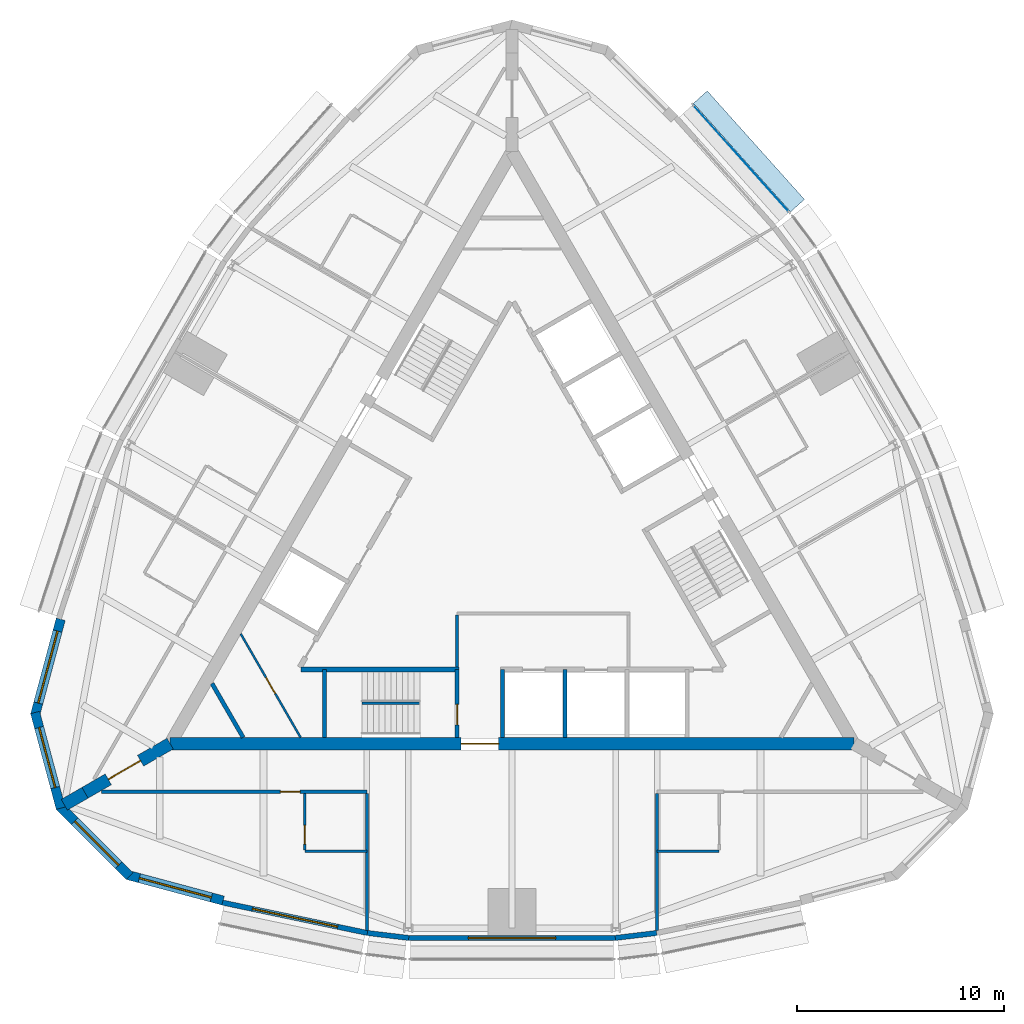
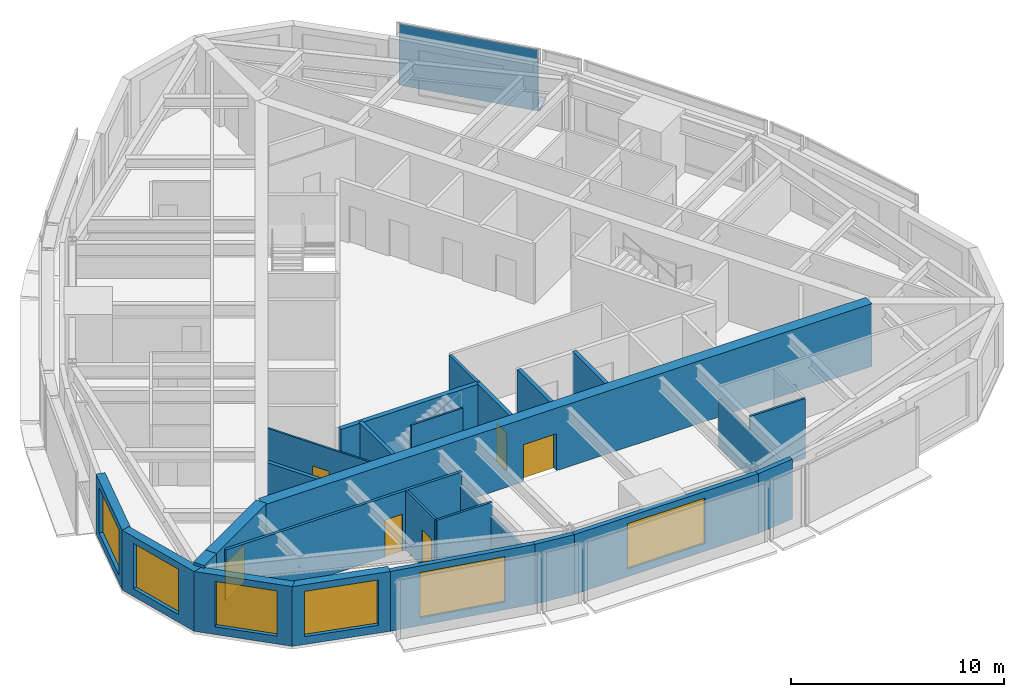
# One storey, part 7 of 12: 26 walls, 6 doors, 6 windows, 2 plates, 12 openings, 1 element without a shape of its own.
"""IFC4 building model written with IfcOpenShell, lengths in metres."""

from ifc_helpers import new_model, si_unit, direction, frame, frame_2d, origin, origin_2d, place, context, subcontext, project, spatial, polyline, rectangle, outline, extrude, material, layer, layer_set, type_object, element, fill, aggregate, save


model = new_model("IFC4")

# Units and contexts
model_context = context("Model", 3, precision=1e-05, world=origin(), true_north=direction((0.0, 1.0)))
body_context = subcontext(model_context, "Body", "Model", "MODEL_VIEW")
ifc_project = project(units=[si_unit("LENGTHUNIT", "METRE"), si_unit("AREAUNIT", "SQUARE_METRE"), si_unit("VOLUMEUNIT", "CUBIC_METRE"), si_unit("PLANEANGLEUNIT", "RADIAN"), si_unit("MASSUNIT", "GRAM", prefix="KILO")], contexts=[model_context])

# Site, building, storey
site_placement = place(None, origin())
site = spatial("IfcSite", under=ifc_project, at=site_placement, CompositionType="ELEMENT")
building_placement = place(site_placement, origin())
building = spatial("IfcBuilding", under=site, at=building_placement, Name="Trikona Tower", CompositionType="ELEMENT")
storey_placement = place(building_placement, frame((0.0, 0.0, 257.300048828125)))
storey = spatial("IfcBuildingStorey", under=building, at=storey_placement, Name="L68", CompositionType="ELEMENT", Elevation=257.300048828125)

# Curtain wall, plate
ifc_material_1 = material(Name="Aluminium curtain wall system", Category="aluminium")
curtain_wall_type = type_object("IfcCurtainWallType", Name="Curtain wall DS3", PredefinedType="NOTDEFINED", material=ifc_material_1)
curtain_wall_placement = place(storey_placement, origin())
curtain_wall = element("IfcCurtainWall", 1, at=curtain_wall_placement, inside=storey, type_object=curtain_wall_type, Name="Curtain wall DS3 L68", PredefinedType="NOTDEFINED")
ifc_material_2 = material(Name="Laminated clear glass", Category="glass")
ifc_layer_1 = layer(ifc_material_2, 0.028076171875)
ifc_layer_set_1 = layer_set([ifc_layer_1], Name="Glass panel DS3")
plate_type_1 = type_object("IfcPlateType", Name="Glass panel DS3", PredefinedType="CURTAIN_PANEL", material=ifc_layer_set_1)
plate_1_placement = place(storey_placement, frame((11.056884765625, 18.7216796875, 0.0), z_axis=(0.0, 0.0, 1.0), x_axis=(-0.667319643748, 0.744771436797, 0.0)))
plate_1 = element("IfcPlate", 2, at=plate_1_placement, type_object=plate_type_1, Name="CW-DS3 panel 1.1", PredefinedType="CURTAIN_PANEL", context=body_context, shape_type="SweptSolid", body=[
    extrude(rectangle(XDim=6.892822265625, YDim=0.028076171875, at=origin_2d()), origin(), (0.0, 0.0, 1.0), 3.530029296875),
])
aggregate(curtain_wall, [plate_1])

# Plate
ifc_material_3 = material(Name="Aluminium plate fin, pale anodised, on stainless steel outriggers", Category="steel")
ifc_layer_2 = layer(ifc_material_3, 0.14990234375)
ifc_layer_set_2 = layer_set([ifc_layer_2], Name="Outer skin fin 900")
plate_type_2 = type_object("IfcPlateType", Name="Outer skin fin 900", PredefinedType="USERDEFINED", material=ifc_layer_set_2)
plate_2_placement = place(storey_placement, frame((11.436767578125, 19.06201171875, 0.0), z_axis=(0.0, 0.0, 1.0), x_axis=(-0.667311465398, 0.744778764566, 0.0)))
element("IfcPlate", 3, at=plate_2_placement, inside=storey, type_object=plate_type_2, Name="Outer skin fin L68-13", ObjectType="FIN", PredefinedType="USERDEFINED", context=body_context, shape_type="SweptSolid", body=[
    extrude(rectangle(XDim=7.03271484375, YDim=0.89990234375, at=origin_2d()), origin(), (0.0, 0.0, 1.0), 0.14990234375),
])

# Wall
ifc_material_4 = material(Name="Metal stud and cement board", Category="gypsum")
ifc_layer_3 = layer(ifc_material_4, 0.1201171875)
ifc_layer_set_3 = layer_set([ifc_layer_3], Name="Bathroom wall 120")
wall_type_1 = type_object("IfcWallType", Name="Bathroom wall 120", PredefinedType="PLUMBINGWALL", material=ifc_layer_set_3)
wall_1_placement = place(storey_placement, frame((-10.0, -14.726318359375, 0.0), z_axis=(0.0, 0.0, 1.0), x_axis=(1.0, 0.0, 0.0)))
element("IfcWall", 4, at=wall_1_placement, inside=storey, type_object=wall_type_1, Name="Bathroom wall 6801", PredefinedType="PLUMBINGWALL", context=body_context, shape_type="SweptSolid", body=[
    extrude(rectangle(XDim=3.0, YDim=0.1201171875, at=frame_2d((1.5, 0.0))), origin(), (0.0, 0.0, 1.0), 3.43505859375),
])

# Wall, opening, door
wall_2_placement = place(storey_placement, frame((-10.0, -11.92626953125, 0.0), z_axis=(0.0, 0.0, 1.0), x_axis=(0.0, -1.0, 0.0)))
wall_2 = element("IfcWall", 5, at=wall_2_placement, inside=storey, type_object=wall_type_1, Name="Bathroom wall 6801", PredefinedType="PLUMBINGWALL", context=body_context, shape_type="SweptSolid", body=[
    extrude(rectangle(XDim=2.739990234375, YDim=0.1201171875, at=frame_2d((1.3701171875, 0.0))), origin(), (0.0, 0.0, 1.0), 3.43505859375),
])
opening_1_placement = place(wall_2_placement, frame((1.550048828125, 0.0, 0.0)))
opening_1 = element("IfcOpeningElement", 6, at=opening_1_placement, cuts=wall_2, Name="Opening D2", PredefinedType="OPENING", context=body_context, shape_type="SweptSolid", body=[
    extrude(rectangle(XDim=0.89990234375, YDim=2.1298828125, at=frame_2d((0.449951171875, 1.06494140625))), frame((0.0, 0.070068359375, 0.0), z_axis=(0.0, -1.0, 0.0), x_axis=(1.0, 0.0, 0.0)), (0.0, 0.0, 1.0), 0.14013671875),
])
ifc_material_5 = material(Name="Steel door frame with solid-core timber leaf", Category="steel")
door_type_1 = type_object("IfcDoorType", Name="Bathroom door 900x2130", OperationType="SLIDING_TO_LEFT", PredefinedType="DOOR", material=ifc_material_5)
door_1_placement = place(opening_1_placement, origin())
door_1 = element("IfcDoor", 7, at=door_1_placement, inside=storey, type_object=door_type_1, Name="Bathroom door 6801", OperationType="SLIDING_TO_LEFT", OverallHeight=2.1298828125, OverallWidth=0.89990234375, PredefinedType="DOOR", context=body_context, shape_type="SweptSolid", body=[
    extrude(rectangle(XDim=0.89990234375, YDim=2.1298828125, at=frame_2d((0.449951171875, 1.06494140625))), frame((0.0, 0.02490234375, 0.0), z_axis=(0.0, -1.0, 0.0), x_axis=(1.0, 0.0, 0.0)), (0.0, 0.0, 1.0), 0.050048828125),
])
fill(opening_1, door_1)

# Wall
wall_3_placement = place(storey_placement, frame((7.0, -14.726318359375, 0.0), z_axis=(0.0, 0.0, 1.0), x_axis=(1.0, 0.0, 0.0)))
element("IfcWall", 8, at=wall_3_placement, inside=storey, type_object=wall_type_1, Name="Bathroom wall 6802", PredefinedType="PLUMBINGWALL", context=body_context, shape_type="SweptSolid", body=[
    extrude(rectangle(XDim=3.0, YDim=0.1201171875, at=frame_2d((1.5, 0.0))), origin(), (0.0, 0.0, 1.0), 3.43505859375),
])

# Wall, opening, window
ifc_material_6 = material(Name="Brick-faced precast concrete", Category="masonry")
ifc_layer_4 = layer(ifc_material_6, 0.449951171875)
ifc_layer_set_4 = layer_set([ifc_layer_4], Name="Brick-faced corner wall 450")
wall_type_2 = type_object("IfcWallType", Name="Brick-faced corner wall 450", PredefinedType="SOLIDWALL", material=ifc_layer_set_4)
wall_4_placement = place(storey_placement, frame((-21.78271484375, -3.522216796875, 0.0), z_axis=(0.0, 0.0, 1.0), x_axis=(-0.25880328844, -0.965930048136, 0.0)))
wall_4 = element("IfcWall", 9, at=wall_4_placement, inside=storey, type_object=wall_type_2, Name="External wall L68-23", PredefinedType="SOLIDWALL", context=body_context, shape_type="SweptSolid", body=[
    extrude(rectangle(XDim=4.78173828125, YDim=0.449951171875, at=frame_2d((2.390869140625, 0.0))), origin(), (0.0, 0.0, 1.0), 3.43505859375),
])
opening_2_placement = place(wall_4_placement, frame((0.5908203125, 0.0, 0.449951171875)))
opening_2 = element("IfcOpeningElement", 10, at=opening_2_placement, cuts=wall_4, Name="Opening W3626", PredefinedType="OPENING", context=body_context, shape_type="SweptSolid", body=[
    extrude(rectangle(XDim=3.60009765625, YDim=2.60009765625, at=frame_2d((1.800048828125, 1.300048828125))), frame((0.0, 0.23486328125, 0.0), z_axis=(0.0, -1.0, 0.0), x_axis=(1.0, 0.0, 0.0)), (0.0, 0.0, 1.0), 0.469970703125),
])
ifc_material_7 = material(Name="Aluminium-framed double glazing", Category="aluminium")
window_type_1 = type_object("IfcWindowType", Name="Window 3600x2600", PartitioningType="SINGLE_PANEL", PredefinedType="WINDOW", material=ifc_material_7)
window_1_placement = place(opening_2_placement, origin())
window_1 = element("IfcWindow", 11, at=window_1_placement, inside=storey, type_object=window_type_1, Name="Window 6807", OverallHeight=2.60009765625, OverallWidth=3.60009765625, PartitioningType="SINGLE_PANEL", PredefinedType="WINDOW", context=body_context, shape_type="SweptSolid", body=[
    extrude(rectangle(XDim=3.60009765625, YDim=2.60009765625, at=frame_2d((1.800048828125, 1.300048828125))), frame((0.0, 0.030029296875, 0.0), z_axis=(0.0, -1.0, 0.0), x_axis=(1.0, 0.0, 0.0)), (0.0, 0.0, 1.0), 0.06005859375),
])
fill(opening_2, window_1)

wall_5_placement = place(storey_placement, frame((-23.020263671875, -8.024658203125, 0.0), z_axis=(0.0, 0.0, 1.0), x_axis=(0.25880328844, -0.965930048136, 0.0)))
wall_5 = element("IfcWall", 12, at=wall_5_placement, inside=storey, type_object=wall_type_2, Name="External wall L68-24", PredefinedType="SOLIDWALL", context=body_context, shape_type="SweptSolid", body=[
    extrude(outline(polyline([(4.78173828125, 0.22509765625), (4.72216796875, 0.22509765625), (4.37548828125, 0.132080078125), (4.3505859375, 0.22509765625), (0.0, 0.22509765625), (0.0, -0.22509765625), (4.78173828125, -0.22509765625), (4.78173828125, 0.22509765625)])), origin(), (0.0, 0.0, 1.0), 3.43505859375),
])
opening_3_placement = place(wall_5_placement, frame((0.750244140625, 0.0, 0.449951171875)))
opening_3 = element("IfcOpeningElement", 13, at=opening_3_placement, cuts=wall_5, Name="Opening W3026", PredefinedType="OPENING", context=body_context, shape_type="SweptSolid", body=[
    extrude(rectangle(XDim=3.0, YDim=2.60009765625, at=frame_2d((1.5, 1.300048828125))), frame((0.0, 0.23486328125, 0.0), z_axis=(0.0, -1.0, 0.0), x_axis=(1.0, 0.0, 0.0)), (0.0, 0.0, 1.0), 0.469970703125),
])
ifc_material_8 = material(Name="Aluminium-framed double glazing", Category="aluminium")
window_type_2 = type_object("IfcWindowType", Name="Window 3000x2600", PartitioningType="SINGLE_PANEL", PredefinedType="WINDOW", material=ifc_material_8)
window_2_placement = place(opening_3_placement, origin())
window_2 = element("IfcWindow", 14, at=window_2_placement, inside=storey, type_object=window_type_2, Name="Window 6807", OverallHeight=2.60009765625, OverallWidth=3.0, PartitioningType="SINGLE_PANEL", PredefinedType="WINDOW", context=body_context, shape_type="SweptSolid", body=[
    extrude(rectangle(XDim=3.0, YDim=2.60009765625, at=frame_2d((1.5, 1.300048828125))), frame((0.0, 0.030029296875, 0.0), z_axis=(0.0, -1.0, 0.0), x_axis=(1.0, 0.0, 0.0)), (0.0, 0.0, 1.0), 0.06005859375),
])
fill(opening_3, window_2)

wall_6_placement = place(storey_placement, frame((-21.8408203125, -12.54248046875, 0.0), z_axis=(0.0, 0.0, 1.0), x_axis=(0.707081252484, -0.707132308968, 0.0)))
wall_6 = element("IfcWall", 15, at=wall_6_placement, inside=storey, type_object=wall_type_2, Name="External wall L68-25", PredefinedType="SOLIDWALL", context=body_context, shape_type="SweptSolid", body=[
    extrude(outline(polyline([(4.78173828125, 0.22509765625), (0.43115234375, 0.22509765625), (0.40625, 0.1318359375), (0.058837890625, 0.22509765625), (0.0, 0.22509765625), (0.0, -0.22509765625), (4.78173828125, -0.22509765625), (4.78173828125, 0.22509765625)])), origin(), (0.0, 0.0, 1.0), 3.43505859375),
])
opening_4_placement = place(wall_6_placement, frame((1.031494140625, 0.0, 0.449951171875)))
opening_4 = element("IfcOpeningElement", 16, at=opening_4_placement, cuts=wall_6, Name="Opening W3026", PredefinedType="OPENING", context=body_context, shape_type="SweptSolid", body=[
    extrude(rectangle(XDim=3.0, YDim=2.60009765625, at=frame_2d((1.5, 1.300048828125))), frame((0.0, 0.23486328125, 0.0), z_axis=(0.0, -1.0, 0.0), x_axis=(1.0, 0.0, 0.0)), (0.0, 0.0, 1.0), 0.469970703125),
])
window_3_placement = place(opening_4_placement, origin())
window_3 = element("IfcWindow", 17, at=window_3_placement, inside=storey, type_object=window_type_2, Name="Window 6801", OverallHeight=2.60009765625, OverallWidth=3.0, PartitioningType="SINGLE_PANEL", PredefinedType="WINDOW", context=body_context, shape_type="SweptSolid", body=[
    extrude(rectangle(XDim=3.0, YDim=2.60009765625, at=frame_2d((1.5, 1.300048828125))), frame((0.0, 0.030029296875, 0.0), z_axis=(0.0, -1.0, 0.0), x_axis=(1.0, 0.0, 0.0)), (0.0, 0.0, 1.0), 0.06005859375),
])
fill(opening_4, window_3)

wall_7_placement = place(storey_placement, frame((-18.560546875, -15.865478515625, 0.0), z_axis=(0.0, 0.0, 1.0), x_axis=(0.965913862671, -0.258863689806, 0.0)))
wall_7 = element("IfcWall", 18, at=wall_7_placement, inside=storey, type_object=wall_type_2, Name="External wall L68-26", PredefinedType="SOLIDWALL", context=body_context, shape_type="SweptSolid", body=[
    extrude(rectangle(XDim=4.78173828125, YDim=0.449951171875, at=frame_2d((2.390869140625, 0.0))), origin(), (0.0, 0.0, 1.0), 3.43505859375),
])
opening_5_placement = place(wall_7_placement, frame((0.5908203125, 0.0, 0.449951171875)))
opening_5 = element("IfcOpeningElement", 19, at=opening_5_placement, cuts=wall_7, Name="Opening W3626", PredefinedType="OPENING", context=body_context, shape_type="SweptSolid", body=[
    extrude(rectangle(XDim=3.60009765625, YDim=2.60009765625, at=frame_2d((1.800048828125, 1.300048828125))), frame((0.0, 0.23486328125, 0.0), z_axis=(0.0, -1.0, 0.0), x_axis=(1.0, 0.0, 0.0)), (0.0, 0.0, 1.0), 0.469970703125),
])
window_4_placement = place(opening_5_placement, origin())
window_4 = element("IfcWindow", 20, at=window_4_placement, inside=storey, type_object=window_type_1, Name="Window 6801", OverallHeight=2.60009765625, OverallWidth=3.60009765625, PartitioningType="SINGLE_PANEL", PredefinedType="WINDOW", context=body_context, shape_type="SweptSolid", body=[
    extrude(rectangle(XDim=3.60009765625, YDim=2.60009765625, at=frame_2d((1.800048828125, 1.300048828125))), frame((0.0, 0.030029296875, 0.0), z_axis=(0.0, -1.0, 0.0), x_axis=(1.0, 0.0, 0.0)), (0.0, 0.0, 1.0), 0.06005859375),
])
fill(opening_5, window_4)

# Wall, opening, door
ifc_material_9 = material(Name="Concrete f'c 10000 psi", Category="concrete")
ifc_layer_5 = layer(ifc_material_9, 0.60009765625)
ifc_layer_set_5 = layer_set([ifc_layer_5], Name="Buttress wall 600")
wall_type_3 = type_object("IfcWallType", Name="Buttress wall 600", PredefinedType="SHEAR", material=ifc_layer_set_5)
wall_8_placement = place(storey_placement, frame((-16.5, -9.5263671875, 0.0), z_axis=(0.0, 0.0, 1.0), x_axis=(-0.866031398331, -0.499989616998, 0.0)))
wall_8 = element("IfcWall", 21, at=wall_8_placement, inside=storey, type_object=wall_type_3, Name="Buttress wall 3", PredefinedType="SHEAR", context=body_context, shape_type="SweptSolid", body=[
    extrude(rectangle(XDim=4.74609375, YDim=0.60009765625, at=frame_2d((2.373046875, 0.0))), origin(), (0.0, 0.0, 1.0), 3.599853515625),
])
opening_6_placement = place(wall_8_placement, frame((1.64990234375, 0.0, 0.0)))
opening_6 = element("IfcOpeningElement", 22, at=opening_6_placement, cuts=wall_8, Name="Opening D10", PredefinedType="OPENING", context=body_context, shape_type="SweptSolid", body=[
    extrude(rectangle(XDim=1.800048828125, YDim=2.1298828125, at=frame_2d((0.89990234375, 1.06494140625))), frame((0.0, 0.31005859375, 0.0), z_axis=(0.0, -1.0, 0.0), x_axis=(1.0, 0.0, 0.0)), (0.0, 0.0, 1.0), 0.6201171875),
])
ifc_material_10 = material(Name="Hollow metal door and frame", Category="steel")
door_type_2 = type_object("IfcDoorType", Name="Cross-corridor door pair 1800x2130", OperationType="DOUBLE_DOOR_DOUBLE_SWING", PredefinedType="DOOR", material=ifc_material_10)
door_2_placement = place(opening_6_placement, origin())
door_2 = element("IfcDoor", 23, at=door_2_placement, inside=storey, type_object=door_type_2, Name="Cross-corridor door 3", OperationType="DOUBLE_DOOR_DOUBLE_SWING", OverallHeight=2.1298828125, OverallWidth=1.800048828125, PredefinedType="DOOR", context=body_context, shape_type="SweptSolid", body=[
    extrude(rectangle(XDim=1.800048828125, YDim=2.1298828125, at=frame_2d((0.89990234375, 1.06494140625))), frame((0.0, 0.02490234375, 0.0), z_axis=(0.0, -1.0, 0.0), x_axis=(1.0, 0.0, 0.0)), (0.0, 0.0, 1.0), 0.050048828125),
])
fill(opening_6, door_2)

# Wall
wall_9_placement = place(storey_placement, frame((-20.6103515625, -11.8994140625, 0.0), z_axis=(0.0, 0.0, 1.0), x_axis=(-0.866009537788, -0.500027479704, 0.0)))
element("IfcWall", 24, at=wall_9_placement, inside=storey, type_object=wall_type_3, Name="Buttress wall 3 part 2", PredefinedType="SHEAR", context=body_context, shape_type="SweptSolid", body=[
    extrude(rectangle(XDim=1.15478515625, YDim=0.60009765625, at=frame_2d((0.577392578125, 0.0))), origin(), (0.0, 0.0, 1.0), 3.599853515625),
])

# Wall, opening, door
ifc_material_11 = material(Name="Concrete f'c 10000 psi", Category="concrete")
ifc_layer_6 = layer(ifc_material_11, 0.60009765625)
ifc_layer_set_6 = layer_set([ifc_layer_6], Name="Core wall 600")
wall_type_4 = type_object("IfcWallType", Name="Core wall 600", PredefinedType="SHEAR", material=ifc_layer_set_6)
wall_10_placement = place(storey_placement, frame((-16.5, -9.5263671875, 0.0), z_axis=(0.0, 0.0, 1.0), x_axis=(1.0, 0.0, 0.0)))
wall_10 = element("IfcWall", 25, at=wall_10_placement, inside=storey, type_object=wall_type_4, Name="Core wall A", PredefinedType="SHEAR", context=body_context, shape_type="SweptSolid", body=[
    extrude(rectangle(XDim=33.0, YDim=0.60009765625, at=frame_2d((16.5, 0.0))), origin(), (0.0, 0.0, 1.0), 3.599853515625),
])
opening_7_placement = place(wall_10_placement, frame((14.050048828125, 0.0, 0.0)))
opening_7 = element("IfcOpeningElement", 26, at=opening_7_placement, cuts=wall_10, Name="Opening D6", PredefinedType="OPENING", context=body_context, shape_type="SweptSolid", body=[
    extrude(rectangle(XDim=1.800048828125, YDim=2.1298828125, at=frame_2d((0.89990234375, 1.06494140625))), frame((0.0, 0.31005859375, 0.0), z_axis=(0.0, -1.0, 0.0), x_axis=(1.0, 0.0, 0.0)), (0.0, 0.0, 1.0), 0.6201171875),
])
ifc_material_12 = material(Name="Hollow metal door and frame", Category="steel")
door_type_3 = type_object("IfcDoorType", Name="Lobby door pair 1800x2130", OperationType="DOUBLE_DOOR_SINGLE_SWING", PredefinedType="DOOR", material=ifc_material_12)
door_3_placement = place(opening_7_placement, origin())
door_3 = element("IfcDoor", 27, at=door_3_placement, inside=storey, type_object=door_type_3, Name="Fire service lift lobby door", OperationType="DOUBLE_DOOR_SINGLE_SWING", OverallHeight=2.1298828125, OverallWidth=1.800048828125, PredefinedType="DOOR", context=body_context, shape_type="SweptSolid", body=[
    extrude(rectangle(XDim=1.800048828125, YDim=2.1298828125, at=frame_2d((0.89990234375, 1.06494140625))), frame((0.0, 0.02490234375, 0.0), z_axis=(0.0, -1.0, 0.0), x_axis=(1.0, 0.0, 0.0)), (0.0, 0.0, 1.0), 0.050048828125),
])
fill(opening_7, door_3)

ifc_material_13 = material(Name="Metal stud and gypsum board, 1-hour", Category="gypsum")
ifc_layer_7 = layer(ifc_material_13, 0.14990234375)
ifc_layer_set_7 = layer_set([ifc_layer_7], Name="Corridor wall 150")
wall_type_5 = type_object("IfcWallType", Name="Corridor wall 150", PredefinedType="PARTITIONING", material=ifc_layer_set_7)
wall_11_placement = place(storey_placement, frame((-19.826904296875, -11.851318359375, 0.0), z_axis=(0.0, 0.0, 1.0), x_axis=(1.0, 0.0, 0.0)))
wall_11 = element("IfcWall", 28, at=wall_11_placement, inside=storey, type_object=wall_type_5, Name="Corridor wall L68-1A", PredefinedType="PARTITIONING", context=body_context, shape_type="SweptSolid", body=[
    extrude(rectangle(XDim=12.826904296875, YDim=0.14990234375, at=frame_2d((6.41357421875, 0.0))), origin(), (0.0, 0.0, 1.0), 3.43505859375),
])
opening_8_placement = place(wall_11_placement, frame((8.652099609375, 0.0, 0.0)))
opening_8 = element("IfcOpeningElement", 29, at=opening_8_placement, cuts=wall_11, Name="Opening D1", PredefinedType="OPENING", context=body_context, shape_type="SweptSolid", body=[
    extrude(rectangle(XDim=0.949951171875, YDim=2.1298828125, at=frame_2d((0.47509765625, 1.06494140625))), frame((0.0, 0.0849609375, 0.0), z_axis=(0.0, -1.0, 0.0), x_axis=(1.0, 0.0, 0.0)), (0.0, 0.0, 1.0), 0.169921875),
])
ifc_material_14 = material(Name="Steel door frame with solid-core timber leaf", Category="steel")
door_type_4 = type_object("IfcDoorType", Name="Guest room door 950x2130", OperationType="SINGLE_SWING_LEFT", PredefinedType="DOOR", material=ifc_material_14)
door_4_placement = place(opening_8_placement, origin())
door_4 = element("IfcDoor", 30, at=door_4_placement, inside=storey, type_object=door_type_4, Name="Room door 6801", OperationType="SINGLE_SWING_LEFT", OverallHeight=2.1298828125, OverallWidth=0.949951171875, PredefinedType="DOOR", context=body_context, shape_type="SweptSolid", body=[
    extrude(rectangle(XDim=0.949951171875, YDim=2.1298828125, at=frame_2d((0.47509765625, 1.06494140625))), frame((0.0, 0.02490234375, 0.0), z_axis=(0.0, -1.0, 0.0), x_axis=(1.0, 0.0, 0.0)), (0.0, 0.0, 1.0), 0.050048828125),
])
fill(opening_8, door_4)

# Wall
ifc_material_15 = material(Name="Concrete f'c 8000 psi", Category="concrete")
ifc_layer_8 = layer(ifc_material_15, 0.25)
ifc_layer_set_8 = layer_set([ifc_layer_8], Name="Hub wall 250")
wall_type_6 = type_object("IfcWallType", Name="Hub wall 250", PredefinedType="SOLIDWALL", material=ifc_layer_set_8)
wall_12_placement = place(storey_placement, frame((-10.182861328125, -5.951416015625, 0.0), z_axis=(0.0, 0.0, 1.0), x_axis=(1.0, 0.0, 0.0)))
element("IfcWall", 31, at=wall_12_placement, inside=storey, type_object=wall_type_6, Name="Lift lobby wall A1", PredefinedType="SOLIDWALL", context=body_context, shape_type="SweptSolid", body=[
    extrude(rectangle(XDim=7.6328125, YDim=0.25, at=frame_2d((3.81640625, 0.0))), origin(), (0.0, 0.0, 1.0), 3.43505859375),
])

# Wall, opening, window
ifc_material_16 = material(Name="Insulated precast concrete spandrel panel", Category="concrete")
ifc_layer_9 = layer(ifc_material_16, 0.25)
ifc_layer_set_9 = layer_set([ifc_layer_9], Name="Inner skin wall 250")
wall_type_7 = type_object("IfcWallType", Name="Inner skin wall 250", PredefinedType="STANDARD", material=ifc_layer_set_9)
wall_13_placement = place(storey_placement, frame((-13.974365234375, -17.1982421875, 0.0), z_axis=(0.0, 0.0, 1.0), x_axis=(0.978654320409, -0.205513311355, 0.0)))
wall_13 = element("IfcWall", 32, at=wall_13_placement, inside=storey, type_object=wall_type_7, Name="External wall L68-00", PredefinedType="STANDARD", context=body_context, shape_type="SweptSolid", body=[
    extrude(rectangle(XDim=7.152587890625, YDim=0.25, at=frame_2d((3.576171875, 0.0))), origin(), (0.0, 0.0, 1.0), 3.43505859375),
])
opening_9_placement = place(wall_13_placement, frame((1.476318359375, 0.0, 0.449951171875)))
opening_9 = element("IfcOpeningElement", 33, at=opening_9_placement, cuts=wall_13, Name="Opening W4226", PredefinedType="OPENING", context=body_context, shape_type="SweptSolid", body=[
    extrude(rectangle(XDim=4.199951171875, YDim=2.60009765625, at=frame_2d((2.10009765625, 1.300048828125))), frame((0.0, 0.135009765625, 0.0), z_axis=(0.0, -1.0, 0.0), x_axis=(1.0, 0.0, 0.0)), (0.0, 0.0, 1.0), 0.27001953125),
])
ifc_material_17 = material(Name="Aluminium-framed double glazing", Category="aluminium")
window_type_3 = type_object("IfcWindowType", Name="Window 4200x2600", PartitioningType="SINGLE_PANEL", PredefinedType="WINDOW", material=ifc_material_17)
window_5_placement = place(opening_9_placement, origin())
window_5 = element("IfcWindow", 34, at=window_5_placement, inside=storey, type_object=window_type_3, Name="Window 6801", OverallHeight=2.60009765625, OverallWidth=4.199951171875, PartitioningType="SINGLE_PANEL", PredefinedType="WINDOW", context=body_context, shape_type="SweptSolid", body=[
    extrude(rectangle(XDim=4.199951171875, YDim=2.60009765625, at=frame_2d((2.10009765625, 1.300048828125))), frame((0.0, 0.030029296875, 0.0), z_axis=(0.0, -1.0, 0.0), x_axis=(1.0, 0.0, 0.0)), (0.0, 0.0, 1.0), 0.06005859375),
])
fill(opening_9, window_5)

# Wall
wall_14_placement = place(storey_placement, frame((-6.985107421875, -18.66650390625, 0.0), z_axis=(0.0, 0.0, 1.0), x_axis=(0.992877411981, -0.119140441403, 0.0)))
element("IfcWall", 35, at=wall_14_placement, inside=storey, type_object=wall_type_7, Name="External wall L68-01", PredefinedType="STANDARD", context=body_context, shape_type="SweptSolid", body=[
    extrude(rectangle(XDim=2.014404296875, YDim=0.25, at=frame_2d((1.00732421875, 0.0))), origin(), (0.0, 0.0, 1.0), 3.43505859375),
])

# Wall, opening, window
wall_15_placement = place(storey_placement, frame((-5.0, -18.905517578125, 0.0), z_axis=(0.0, 0.0, 1.0), x_axis=(1.0, 0.0, 0.0)))
wall_15 = element("IfcWall", 36, at=wall_15_placement, inside=storey, type_object=wall_type_7, Name="External wall L68-02", PredefinedType="STANDARD", context=body_context, shape_type="SweptSolid", body=[
    extrude(rectangle(XDim=10.0, YDim=0.25, at=frame_2d((5.0, 0.0))), origin(), (0.0, 0.0, 1.0), 3.43505859375),
])
opening_10_placement = place(wall_15_placement, frame((2.89990234375, 0.0, 0.449951171875)))
opening_10 = element("IfcOpeningElement", 37, at=opening_10_placement, cuts=wall_15, Name="Opening W4226", PredefinedType="OPENING", context=body_context, shape_type="SweptSolid", body=[
    extrude(rectangle(XDim=4.199951171875, YDim=2.60009765625, at=frame_2d((2.10009765625, 1.300048828125))), frame((0.0, 0.135009765625, 0.0), z_axis=(0.0, -1.0, 0.0), x_axis=(1.0, 0.0, 0.0)), (0.0, 0.0, 1.0), 0.27001953125),
])
window_6_placement = place(opening_10_placement, origin())
window_6 = element("IfcWindow", 38, at=window_6_placement, inside=storey, type_object=window_type_3, Name="Window L68-LNG", OverallHeight=2.60009765625, OverallWidth=4.199951171875, PartitioningType="SINGLE_PANEL", PredefinedType="WINDOW", context=body_context, shape_type="SweptSolid", body=[
    extrude(rectangle(XDim=4.199951171875, YDim=2.60009765625, at=frame_2d((2.10009765625, 1.300048828125))), frame((0.0, 0.030029296875, 0.0), z_axis=(0.0, -1.0, 0.0), x_axis=(1.0, 0.0, 0.0)), (0.0, 0.0, 1.0), 0.06005859375),
])
fill(opening_10, window_6)

# Walls
wall_16_placement = place(storey_placement, frame((4.985107421875, -18.906494140625, 0.0), z_axis=(0.0, 0.0, 1.0), x_axis=(0.992877411981, 0.119140441403, 0.0)))
element("IfcWall", 39, at=wall_16_placement, inside=storey, type_object=wall_type_7, Name="External wall L68-03", PredefinedType="STANDARD", context=body_context, shape_type="SweptSolid", body=[
    extrude(rectangle(XDim=2.014404296875, YDim=0.25, at=frame_2d((1.00732421875, 0.0))), origin(), (0.0, 0.0, 1.0), 3.43505859375),
])
ifc_material_18 = material(Name="Metal stud and gypsum board, 2-hour shaft wall", Category="gypsum")
ifc_layer_10 = layer(ifc_material_18, 0.14990234375)
ifc_layer_set_10 = layer_set([ifc_layer_10], Name="Lobby wall 150")
wall_type_8 = type_object("IfcWallType", Name="Lobby wall 150", PredefinedType="PARTITIONING", material=ifc_layer_set_10)
wall_17_placement = place(storey_placement, frame((-2.64990234375, -5.826416015625, 0.0), z_axis=(0.0, 0.0, 1.0), x_axis=(0.0, 1.0, 0.0)))
element("IfcWall", 40, at=wall_17_placement, inside=storey, type_object=wall_type_8, Name="Fire service lift lobby wall 2", PredefinedType="PARTITIONING", context=body_context, shape_type="SweptSolid", body=[
    extrude(rectangle(XDim=2.5, YDim=0.14990234375, at=frame_2d((1.25, 0.0))), origin(), (0.0, 0.0, 1.0), 3.43505859375),
])
ifc_material_19 = material(Name="Metal stud and gypsum board, 1-hour acoustic", Category="gypsum")
ifc_layer_11 = layer(ifc_material_19, 0.14990234375)
ifc_layer_set_11 = layer_set([ifc_layer_11], Name="Party wall 150")
wall_type_9 = type_object("IfcWallType", Name="Party wall 150", PredefinedType="PARTITIONING", material=ifc_layer_set_11)
for number, where, z_axis, x_axis, name in (
    (41, (-7.0, -11.92626953125, 0.0), (0.0, 0.0, 1.0), (0.0, -1.0, 0.0), "Partition L68 F1 u-7"),
    (42, (7.0, -11.92626953125, 0.0), (0.0, 0.0, 1.0), (0.0, -1.0, 0.0), "Partition L68 F1 u7"),
):
    element("IfcWall", number, at=place(storey_placement, frame(where, z_axis=z_axis, x_axis=x_axis)), inside=storey, type_object=wall_type_9, Name=name, PredefinedType="PARTITIONING", context=body_context, shape_type="SweptSolid", body=[
        extrude(rectangle(XDim=6.608642578125, YDim=0.14990234375, at=frame_2d((3.30419921875, 0.0))), origin(), (0.0, 0.0, 1.0), 2.677978515625),
    ])
ifc_material_20 = material(Name="Concrete f'c 8000 psi", Category="concrete")
ifc_layer_12 = layer(ifc_material_20, 0.199951171875)
ifc_layer_set_12 = layer_set([ifc_layer_12], Name="Shaft wall 200")
wall_type_10 = type_object("IfcWallType", Name="Shaft wall 200", PredefinedType="SOLIDWALL", material=ifc_layer_set_12)
for number, where, z_axis, x_axis, name in (
    (43, (-0.449951171875, -5.951416015625, 0.0), (0.0, 0.0, 1.0), (0.0, -1.0, 0.0), "Shaft wall A3"),
    (44, (2.550048828125, -5.951416015625, 0.0), (0.0, 0.0, 1.0), (0.0, -1.0, 0.0), "Shaft wall A4"),
):
    element("IfcWall", number, at=place(storey_placement, frame(where, z_axis=z_axis, x_axis=x_axis)), inside=storey, type_object=wall_type_10, Name=name, PredefinedType="SOLIDWALL", context=body_context, shape_type="SweptSolid", body=[
        extrude(rectangle(XDim=3.27490234375, YDim=0.199951171875, at=frame_2d((1.637451171875, 0.0))), origin(), (0.0, 0.0, 1.0), 3.43505859375),
    ])
wall_18_placement = place(storey_placement, frame((-12.978271484375, -9.226318359375, 0.0), z_axis=(0.0, 0.0, 1.0), x_axis=(-0.499952404951, 0.866052881055, 0.0)))
element("IfcWall", 45, at=wall_18_placement, inside=storey, type_object=wall_type_10, Name="Riser wall L68-RS3", PredefinedType="SOLIDWALL", context=body_context, shape_type="SweptSolid", body=[
    extrude(rectangle(XDim=3.002197265625, YDim=0.199951171875, at=frame_2d((1.5009765625, 0.0))), origin(), (0.0, 0.0, 1.0), 3.43505859375),
])
ifc_material_21 = material(Name="Concrete f'c 8000 psi", Category="concrete")
ifc_layer_13 = layer(ifc_material_21, 0.199951171875)
ifc_layer_set_13 = layer_set([ifc_layer_13], Name="Shaft wall 200 load-bearing")
wall_type_11 = type_object("IfcWallType", Name="Shaft wall 200 load-bearing", PredefinedType="SOLIDWALL", material=ifc_layer_set_13)
wall_19_placement = place(storey_placement, frame((-9.050048828125, -5.951416015625, 0.0), z_axis=(0.0, 0.0, 1.0), x_axis=(0.0, -1.0, 0.0)))
element("IfcWall", 46, at=wall_19_placement, inside=storey, type_object=wall_type_11, Name="Shaft wall A1", PredefinedType="SOLIDWALL", context=body_context, shape_type="SweptSolid", body=[
    extrude(rectangle(XDim=3.27490234375, YDim=0.199951171875, at=frame_2d((1.637451171875, 0.0))), origin(), (0.0, 0.0, 1.0), 3.43505859375),
])

# Wall, opening, door
wall_20_placement = place(storey_placement, frame((-2.64990234375, -5.951416015625, 0.0), z_axis=(0.0, 0.0, 1.0), x_axis=(0.0, -1.0, 0.0)))
wall_20 = element("IfcWall", 47, at=wall_20_placement, inside=storey, type_object=wall_type_11, Name="Shaft wall A2", PredefinedType="SOLIDWALL", context=body_context, shape_type="SweptSolid", body=[
    extrude(rectangle(XDim=3.27490234375, YDim=0.199951171875, at=frame_2d((1.637451171875, 0.0))), origin(), (0.0, 0.0, 1.0), 3.43505859375),
])
opening_11_placement = place(wall_20_placement, frame((1.675048828125, 0.0, 0.0)))
opening_11 = element("IfcOpeningElement", 48, at=opening_11_placement, cuts=wall_20, Name="Opening D5", PredefinedType="OPENING", context=body_context, shape_type="SweptSolid", body=[
    extrude(rectangle(XDim=1.0, YDim=2.1298828125, at=frame_2d((0.5, 1.06494140625))), frame((0.0, 0.10986328125, 0.0), z_axis=(0.0, -1.0, 0.0), x_axis=(1.0, 0.0, 0.0)), (0.0, 0.0, 1.0), 0.219970703125),
])
ifc_material_22 = material(Name="Hollow metal door and frame", Category="steel")
door_type_5 = type_object("IfcDoorType", Name="Stair door 1000x2130", OperationType="SINGLE_SWING_LEFT", PredefinedType="DOOR", material=ifc_material_22)
door_5_placement = place(opening_11_placement, origin())
door_5 = element("IfcDoor", 49, at=door_5_placement, inside=storey, type_object=door_type_5, Name="Stair A door", OperationType="SINGLE_SWING_RIGHT", OverallHeight=2.1298828125, OverallWidth=1.0, PredefinedType="DOOR", context=body_context, shape_type="SweptSolid", body=[
    extrude(rectangle(XDim=1.0, YDim=2.1298828125, at=frame_2d((0.5, 1.06494140625))), frame((0.0, 0.02490234375, 0.0), z_axis=(0.0, -1.0, 0.0), x_axis=(1.0, 0.0, 0.0)), (0.0, 0.0, 1.0), 0.050048828125),
])
fill(opening_11, door_5)

# Wall
ifc_material_23 = material(Name="Concrete f'c 5000 psi", Category="concrete")
ifc_layer_14 = layer(ifc_material_23, 0.10009765625)
ifc_layer_set_14 = layer_set([ifc_layer_14], Name="Stair spine wall 100")
wall_type_12 = type_object("IfcWallType", Name="Stair spine wall 100", PredefinedType="SOLIDWALL", material=ifc_layer_set_14)
wall_21_placement = place(storey_placement, frame((-7.2470703125, -7.576416015625, 0.0), z_axis=(0.0, 0.0, 1.0), x_axis=(1.0, 0.0, 0.0)))
element("IfcWall", 50, at=wall_21_placement, inside=storey, type_object=wall_type_12, Name="Stair A spine wall L68", PredefinedType="SOLIDWALL", context=body_context, shape_type="SweptSolid", body=[
    extrude(rectangle(XDim=2.794189453125, YDim=0.10009765625, at=frame_2d((1.39697265625, 0.0))), origin(), (0.0, 0.0, 1.0), 3.599853515625),
])

# Wall, opening, door
ifc_material_24 = material(Name="Metal stud and gypsum board, acoustic", Category="gypsum")
ifc_layer_15 = layer(ifc_material_24, 0.10009765625)
ifc_layer_set_15 = layer_set([ifc_layer_15], Name="Suite partition 100")
wall_type_13 = type_object("IfcWallType", Name="Suite partition 100", PredefinedType="PARTITIONING", material=ifc_layer_set_15)
wall_22_placement = place(storey_placement, frame((-10.206787109375, -9.226318359375, 0.0), z_axis=(0.0, 0.0, 1.0), x_axis=(-0.500027479704, 0.866009537788, 0.0)))
wall_22 = element("IfcWall", 51, at=wall_22_placement, inside=storey, type_object=wall_type_13, Name="Store partition L68-RS3", PredefinedType="PARTITIONING", context=body_context, shape_type="SweptSolid", body=[
    extrude(rectangle(XDim=5.773681640625, YDim=0.10009765625, at=frame_2d((2.88671875, 0.0))), origin(), (0.0, 0.0, 1.0), 3.43505859375),
])
opening_12_placement = place(wall_22_placement, frame((2.436767578125, 0.0, 0.0)))
opening_12 = element("IfcOpeningElement", 52, at=opening_12_placement, cuts=wall_22, Name="Opening D15", PredefinedType="OPENING", context=body_context, shape_type="SweptSolid", body=[
    extrude(rectangle(XDim=0.89990234375, YDim=2.1298828125, at=frame_2d((0.449951171875, 1.06494140625))), frame((0.0, 0.06005859375, 0.0), z_axis=(0.0, -1.0, 0.0), x_axis=(1.0, 0.0, 0.0)), (0.0, 0.0, 1.0), 0.1201171875),
])
ifc_material_25 = material(Name="Steel door frame with solid-core timber leaf", Category="steel")
door_type_6 = type_object("IfcDoorType", Name="Store door 900x2130", OperationType="SINGLE_SWING_LEFT", PredefinedType="DOOR", material=ifc_material_25)
door_6_placement = place(opening_12_placement, origin())
door_6 = element("IfcDoor", 53, at=door_6_placement, inside=storey, type_object=door_type_6, Name="Door Storage STO", OperationType="SINGLE_SWING_RIGHT", OverallHeight=2.1298828125, OverallWidth=0.89990234375, PredefinedType="DOOR", context=body_context, shape_type="SweptSolid", body=[
    extrude(rectangle(XDim=0.89990234375, YDim=2.1298828125, at=frame_2d((0.449951171875, 1.06494140625))), frame((0.0, 0.02490234375, 0.0), z_axis=(0.0, -1.0, 0.0), x_axis=(1.0, 0.0, 0.0)), (0.0, 0.0, 1.0), 0.050048828125),
])
fill(opening_12, door_6)

save(model, "model.ifc")
